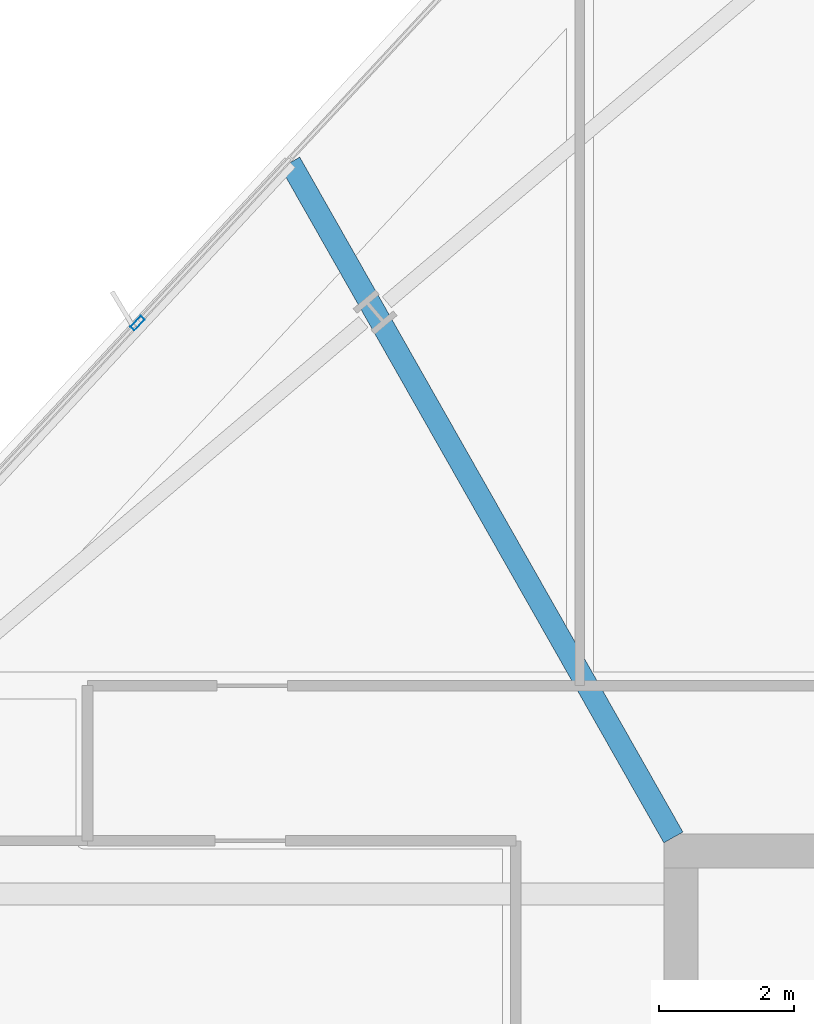
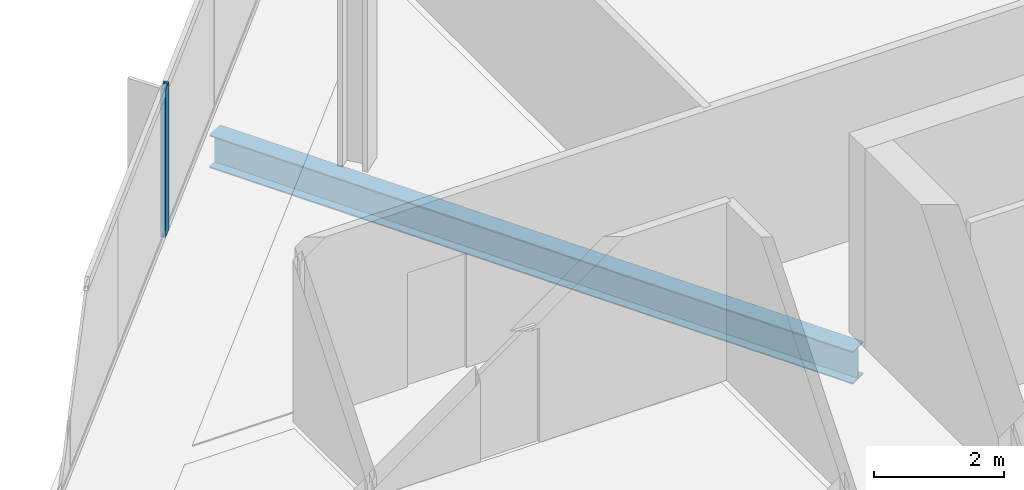
# One storey, part 15 of 32: 1 beam, 1 member, 1 element without a shape of its own.
"""IFC4 building model written with IfcOpenShell, lengths in metres."""

from ifc_helpers import new_model, si_unit, direction, frame, origin, origin_2d, place, context, subcontext, project, spatial, hollow_rectangle, i_section, extrude, material, material_profile, profile_set, type_object, element, aggregate, save


model = new_model("IFC4")

# Units and contexts
model_context = context("Model", 3, precision=1e-05, world=origin(), true_north=direction((0.0, 1.0)))
body_context = subcontext(model_context, "Body", "Model", "MODEL_VIEW")
ifc_project = project(units=[si_unit("LENGTHUNIT", "METRE"), si_unit("AREAUNIT", "SQUARE_METRE"), si_unit("VOLUMEUNIT", "CUBIC_METRE"), si_unit("PLANEANGLEUNIT", "RADIAN"), si_unit("MASSUNIT", "GRAM", prefix="KILO")], contexts=[model_context])

# Site, building, storey
site_placement = place(None, origin())
site = spatial("IfcSite", under=ifc_project, at=site_placement, CompositionType="ELEMENT")
building_placement = place(site_placement, origin())
building = spatial("IfcBuilding", under=site, at=building_placement, Name="Haldenkirk Collegiate Tower", CompositionType="ELEMENT")
storey_placement = place(building_placement, frame((0.0, 0.0, 185.699951171875)))
storey = spatial("IfcBuildingStorey", under=building, at=storey_placement, Name="L46", CompositionType="ELEMENT", Elevation=185.699951171875)

# Beam
ifc_material_1 = material(Name="Steel ASTM A992 Grade 50", Category="steel")
ifc_material_profile_1 = material_profile(ifc_material_1, i_section(OverallWidth=0.324951171875, OverallDepth=0.615966796875, WebThickness=0.013916015625, FlangeThickness=0.021484375, at=origin_2d()), Name="W24X117")
ifc_profile_set_1 = profile_set([ifc_material_profile_1], Name="Steel ASTM A992 Grade 50")
beam_type = type_object("IfcBeamType", Name="BM-GIRDER-W24X117", PredefinedType="BEAM", material=ifc_profile_set_1)
beam_placement = place(storey_placement, frame((21.204345703125, 44.207763671875, -0.597900390625), z_axis=(0.493738213518, -0.869610589006, 0.0), x_axis=(0.869610589006, 0.493738213518, 0.0)))
element("IfcBeam", 1, at=beam_placement, inside=storey, type_object=beam_type, Name="L46 primary floor girder 12", PredefinedType="BEAM", context=body_context, shape_type="SweptSolid", body=[
    extrude(i_section(OverallWidth=0.324951171875, OverallDepth=0.615966796875, WebThickness=0.013916015625, FlangeThickness=0.021484375, at=origin_2d()), origin(), (0.0, 0.0, 1.0), 11.50830078125),
])

# Curtain wall, member
ifc_material_2 = material(Name="Anodised architectural bronze aluminium", Category="aluminium")
curtain_wall_type = type_object("IfcCurtainWallType", Name="CW-SYS1-CONVEX-LOW", PredefinedType="USERDEFINED", material=ifc_material_2)
curtain_wall_placement = place(storey_placement, origin())
curtain_wall = element("IfcCurtainWall", 2, at=curtain_wall_placement, inside=storey, type_object=curtain_wall_type, Name="L46 Lower tower convex bronze-framed unitised curtain wall", ObjectType="UNITISED CURTAIN WALL", PredefinedType="USERDEFINED")
ifc_material_profile_2 = material_profile(ifc_material_2, hollow_rectangle(XDim=0.080078125, YDim=0.219970703125, WallThickness=0.0048828125, at=origin_2d()), Name="CW-MUL-1A")
ifc_profile_set_2 = profile_set([ifc_material_profile_2], Name="Anodised architectural bronze aluminium")
member_type = type_object("IfcMemberType", Name="CW-MUL-1A", PredefinedType="MULLION", material=ifc_profile_set_2)
member_placement = place(storey_placement, frame((18.93994140625, 41.825439453125, 0.0), z_axis=(0.0, 0.0, 1.0), x_axis=(-0.733137779244, 0.680080139869, 0.0)))
member = element("IfcMember", 3, at=member_placement, type_object=member_type, Name="CW-1A mullion 3", PredefinedType="MULLION", context=body_context, shape_type="SweptSolid", body=[
    extrude(hollow_rectangle(XDim=0.080078125, YDim=0.219970703125, WallThickness=0.0048828125, at=origin_2d()), origin(), (0.0, 0.0, 1.0), 2.791015625),
])
aggregate(curtain_wall, [member])

save(model, "model.ifc")
